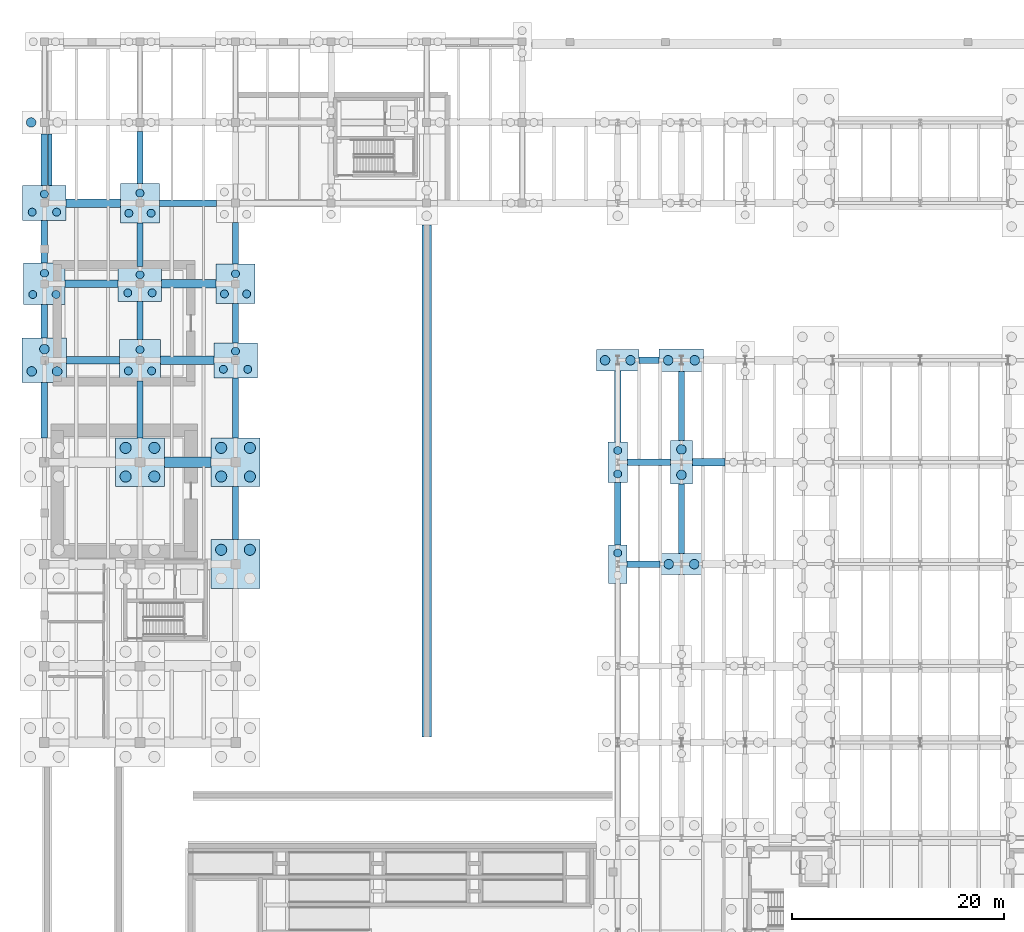
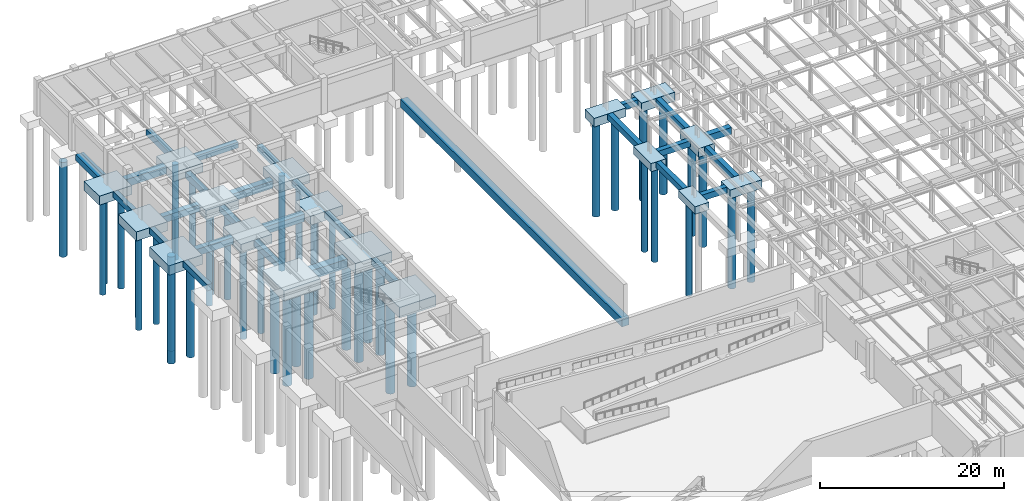
# One storey, part 6 of 59: 46 footings, 46 piles.
"""IFC4 building model written with IfcOpenShell, lengths in metres."""

from ifc_helpers import new_model, si_unit, direction, frame, origin, origin_2d, place, context, subcontext, project, spatial, polyline, rectangle, circle, outline, extrude, material, material_profile, profile_set, type_object, element, save


model = new_model("IFC4")

# Units and contexts
model_context = context("Model", 3, precision=1e-05, world=origin(), true_north=direction((0.0, 1.0)))
body_context = subcontext(model_context, "Body", "Model", "MODEL_VIEW")
ifc_project = project(units=[si_unit("LENGTHUNIT", "METRE"), si_unit("AREAUNIT", "SQUARE_METRE"), si_unit("VOLUMEUNIT", "CUBIC_METRE"), si_unit("PLANEANGLEUNIT", "RADIAN"), si_unit("MASSUNIT", "GRAM", prefix="KILO")], contexts=[model_context])

# Site, building, storey
site_placement = place(None, origin())
site = spatial("IfcSite", under=ifc_project, at=site_placement, CompositionType="ELEMENT")
building_placement = place(site_placement, origin())
building = spatial("IfcBuilding", under=site, at=building_placement, Name="Montealbar Specialist Clinic", CompositionType="ELEMENT")
storey_placement = place(building_placement, frame((0.0, 0.0, -4.800048828125)))
storey = spatial("IfcBuildingStorey", under=building, at=storey_placement, Name="B01", CompositionType="ELEMENT", Elevation=-4.800048828125)

# Footings
ifc_material = material(Name="Concrete C35/45", Category="concrete")
footing_type_1 = type_object("IfcFootingType", Name="FB-BUNKER-1000x1200", PredefinedType="FOOTING_BEAM", material=ifc_material)
footing_1_placement = place(storey_placement, frame((0.0, 0.0, -1.64990234375)))
element("IfcFooting", 1, at=footing_1_placement, inside=storey, type_object=footing_type_1, Name="Foundation Ground Beam FBX-113-157-714", PredefinedType="FOOTING_BEAM", context=body_context, shape_type="SweptSolid", body=[
    extrude(outline(polyline([(11.300048828125, 70.89990234375), (15.699951171875, 70.89990234375), (15.699951171875, 71.89990234375), (11.300048828125, 71.89990234375), (11.300048828125, 70.89990234375)])), origin(), (0.0, 0.0, 1.0), 1.199951171875),
])
footing_type_2 = type_object("IfcFootingType", Name="FB-TIE-600x800", PredefinedType="FOOTING_BEAM", material=ifc_material)
footing_2_placement = place(storey_placement, frame((0.0, 0.0, -0.800048828125)))
element("IfcFooting", 2, at=footing_2_placement, inside=storey, type_object=footing_type_2, Name="Foundation Ground Beam FBX-549-580-618", PredefinedType="FOOTING_BEAM", context=body_context, shape_type="SweptSolid", body=[
    extrude(outline(polyline([(54.875, 61.5), (58.0, 61.5), (58.0, 62.10009765625), (54.875, 62.10009765625), (54.875, 61.5)])), origin(), (0.0, 0.0, 1.0), 0.800048828125),
])
footing_3_placement = place(storey_placement, frame((0.0, 0.0, -0.800048828125)))
element("IfcFooting", 3, at=footing_3_placement, inside=storey, type_object=footing_type_2, Name="Foundation Ground Beam FBX-549-590-714", PredefinedType="FOOTING_BEAM", context=body_context, shape_type="SweptSolid", body=[
    extrude(outline(polyline([(54.925048828125, 71.10009765625), (58.97509765625, 71.10009765625), (58.97509765625, 71.699951171875), (54.925048828125, 71.699951171875), (54.925048828125, 71.10009765625)])), origin(), (0.0, 0.0, 1.0), 0.800048828125),
])
footing_4_placement = place(storey_placement, frame((0.0, 0.0, -0.800048828125)))
element("IfcFooting", 4, at=footing_4_placement, inside=storey, type_object=footing_type_2, Name="Foundation Ground Beam FBX-560-579-810", PredefinedType="FOOTING_BEAM", context=body_context, shape_type="SweptSolid", body=[
    extrude(outline(polyline([(56.0, 80.699951171875), (57.89990234375, 80.699951171875), (57.89990234375, 81.300048828125), (56.0, 81.300048828125), (56.0, 80.699951171875)])), origin(), (0.0, 0.0, 1.0), 0.800048828125),
])
footing_5_placement = place(storey_placement, frame((0.0, 0.0, -0.800048828125)))
element("IfcFooting", 5, at=footing_5_placement, inside=storey, type_object=footing_type_2, Name="Foundation Ground Beam FBX-108-162-958", PredefinedType="FOOTING_BEAM", context=body_context, shape_type="SweptSolid", body=[
    extrude(outline(polyline([(10.85009765625, 95.5), (16.199951171875, 95.5), (16.199951171875, 96.10009765625), (10.85009765625, 96.10009765625), (10.85009765625, 95.5)])), origin(), (0.0, 0.0, 1.0), 0.800048828125),
])
footing_6_placement = place(storey_placement, frame((0.0, 0.0, -0.800048828125)))
element("IfcFooting", 6, at=footing_6_placement, inside=storey, type_object=footing_type_2, Name="Foundation Tie Beam FBY-0-737-789", PredefinedType="FOOTING_BEAM", context=body_context, shape_type="SweptSolid", body=[
    extrude(outline(polyline([(-0.300048828125, 73.699951171875), (0.300048828125, 73.699951171875), (0.300048828125, 78.89990234375), (-0.300048828125, 78.89990234375), (-0.300048828125, 73.699951171875)])), origin(), (0.0, 0.0, 1.0), 0.800048828125),
])
footing_7_placement = place(storey_placement, frame((0.0, 0.0, -0.800048828125)))
element("IfcFooting", 7, at=footing_7_placement, inside=storey, type_object=footing_type_2, Name="Foundation Tie Beam FBY-0-831-862", PredefinedType="FOOTING_BEAM", context=body_context, shape_type="SweptSolid", body=[
    extrude(outline(polyline([(-0.300048828125, 83.10009765625), (0.300048828125, 83.10009765625), (0.300048828125, 86.25), (-0.300048828125, 86.25), (-0.300048828125, 83.10009765625)])), origin(), (0.0, 0.0, 1.0), 0.800048828125),
])
footing_8_placement = place(storey_placement, frame((0.0, 0.0, -0.800048828125)))
element("IfcFooting", 8, at=footing_8_placement, inside=storey, type_object=footing_type_2, Name="Foundation Tie Beam FBY-0-902-942", PredefinedType="FOOTING_BEAM", context=body_context, shape_type="SweptSolid", body=[
    extrude(outline(polyline([(-0.300048828125, 90.14990234375), (0.300048828125, 90.14990234375), (0.300048828125, 94.14990234375), (-0.300048828125, 94.14990234375), (-0.300048828125, 90.14990234375)])), origin(), (0.0, 0.0, 1.0), 0.800048828125),
])
footing_9_placement = place(storey_placement, frame((0.0, 0.0, -0.800048828125)))
element("IfcFooting", 9, at=footing_9_placement, inside=storey, type_object=footing_type_2, Name="Foundation Tie Beam FBY-0-974-1023", PredefinedType="FOOTING_BEAM", context=body_context, shape_type="SweptSolid", body=[
    extrude(outline(polyline([(-0.300048828125, 97.449951171875), (0.300048828125, 97.449951171875), (0.300048828125, 102.324951171875), (-0.300048828125, 102.324951171875), (-0.300048828125, 97.449951171875)])), origin(), (0.0, 0.0, 1.0), 0.800048828125),
])
footing_10_placement = place(storey_placement, frame((0.0, 0.0, -1.25)))
element("IfcFooting", 10, at=footing_10_placement, inside=storey, type_object=footing_type_2, Name="Foundation Tie Beam FBY-90-737-790", PredefinedType="FOOTING_BEAM", context=body_context, shape_type="SweptSolid", body=[
    extrude(outline(polyline([(8.699951171875, 73.699951171875), (9.300048828125, 73.699951171875), (9.300048828125, 79.050048828125), (8.699951171875, 79.050048828125), (8.699951171875, 73.699951171875)])), origin(), (0.0, 0.0, 1.0), 0.800048828125),
])
footing_11_placement = place(storey_placement, frame((0.0, 0.0, -1.25)))
element("IfcFooting", 11, at=footing_11_placement, inside=storey, type_object=footing_type_2, Name="Foundation Tie Beam FBY-90-830-866", PredefinedType="FOOTING_BEAM", context=body_context, shape_type="SweptSolid", body=[
    extrude(outline(polyline([(8.699951171875, 82.949951171875), (9.300048828125, 82.949951171875), (9.300048828125, 86.550048828125), (8.699951171875, 86.550048828125), (8.699951171875, 82.949951171875)])), origin(), (0.0, 0.0, 1.0), 0.800048828125),
])
footing_12_placement = place(storey_placement, frame((0.0, 0.0, -1.25)))
element("IfcFooting", 12, at=footing_12_placement, inside=storey, type_object=footing_type_2, Name="Foundation Tie Beam FBY-90-898-940", PredefinedType="FOOTING_BEAM", context=body_context, shape_type="SweptSolid", body=[
    extrude(outline(polyline([(8.699951171875, 89.85009765625), (9.300048828125, 89.85009765625), (9.300048828125, 93.949951171875), (8.699951171875, 93.949951171875), (8.699951171875, 89.85009765625)])), origin(), (0.0, 0.0, 1.0), 0.800048828125),
])
footing_13_placement = place(storey_placement, frame((0.0, 0.0, -0.800048828125)))
element("IfcFooting", 13, at=footing_13_placement, inside=storey, type_object=footing_type_2, Name="Foundation Tie Beam FBY-90-976-1026", PredefinedType="FOOTING_BEAM", context=body_context, shape_type="SweptSolid", body=[
    extrude(outline(polyline([(8.699951171875, 97.64990234375), (9.300048828125, 97.64990234375), (9.300048828125, 102.550048828125), (8.699951171875, 102.550048828125), (8.699951171875, 97.64990234375)])), origin(), (0.0, 0.0, 1.0), 0.800048828125),
])
footing_14_placement = place(storey_placement, frame((0.0, 0.0, -0.800048828125)))
element("IfcFooting", 14, at=footing_14_placement, inside=storey, type_object=footing_type_2, Name="Foundation Tie Beam FBY-180-641-691", PredefinedType="FOOTING_BEAM", context=body_context, shape_type="SweptSolid", body=[
    extrude(outline(polyline([(17.699951171875, 64.10009765625), (18.300048828125, 64.10009765625), (18.300048828125, 69.10009765625), (17.699951171875, 69.10009765625), (17.699951171875, 64.10009765625)])), origin(), (0.0, 0.0, 1.0), 0.800048828125),
])
footing_15_placement = place(storey_placement, frame((0.0, 0.0, -0.800048828125)))
element("IfcFooting", 15, at=footing_15_placement, inside=storey, type_object=footing_type_2, Name="Foundation Tie Beam FBY-180-737-794", PredefinedType="FOOTING_BEAM", context=body_context, shape_type="SweptSolid", body=[
    extrude(outline(polyline([(17.699951171875, 73.699951171875), (18.300048828125, 73.699951171875), (18.300048828125, 79.35009765625), (17.699951171875, 79.35009765625), (17.699951171875, 73.699951171875)])), origin(), (0.0, 0.0, 1.0), 0.800048828125),
])
footing_16_placement = place(storey_placement, frame((0.0, 0.0, -0.800048828125)))
element("IfcFooting", 16, at=footing_16_placement, inside=storey, type_object=footing_type_2, Name="Foundation Tie Beam FBY-180-826-864", PredefinedType="FOOTING_BEAM", context=body_context, shape_type="SweptSolid", body=[
    extrude(outline(polyline([(17.699951171875, 82.64990234375), (18.300048828125, 82.64990234375), (18.300048828125, 86.35009765625), (17.699951171875, 86.35009765625), (17.699951171875, 82.64990234375)])), origin(), (0.0, 0.0, 1.0), 0.800048828125),
])
footing_17_placement = place(storey_placement, frame((0.0, 0.0, -0.800048828125)))
element("IfcFooting", 17, at=footing_17_placement, inside=storey, type_object=footing_type_2, Name="Foundation Tie Beam FBY-180-900-940", PredefinedType="FOOTING_BEAM", context=body_context, shape_type="SweptSolid", body=[
    extrude(outline(polyline([(17.699951171875, 90.050048828125), (18.300048828125, 90.050048828125), (18.300048828125, 94.0), (17.699951171875, 94.0), (17.699951171875, 90.050048828125)])), origin(), (0.0, 0.0, 1.0), 0.800048828125),
])
footing_18_placement = place(storey_placement, frame((0.0, 0.0, -0.800048828125)))
element("IfcFooting", 18, at=footing_18_placement, inside=storey, type_object=footing_type_2, Name="Foundation Tie Beam FBY-540-636-695", PredefinedType="FOOTING_BEAM", context=body_context, shape_type="SweptSolid", body=[
    extrude(outline(polyline([(53.699951171875, 63.625), (54.300048828125, 63.625), (54.300048828125, 69.47509765625), (53.699951171875, 69.47509765625), (53.699951171875, 63.625)])), origin(), (0.0, 0.0, 1.0), 0.800048828125),
])
footing_19_placement = place(storey_placement, frame((0.0, 0.0, -0.800048828125)))
element("IfcFooting", 19, at=footing_19_placement, inside=storey, type_object=footing_type_2, Name="Foundation Tie Beam FBY-540-733-800", PredefinedType="FOOTING_BEAM", context=body_context, shape_type="SweptSolid", body=[
    extrude(outline(polyline([(53.699951171875, 73.324951171875), (54.300048828125, 73.324951171875), (54.300048828125, 80.0), (53.699951171875, 80.0), (53.699951171875, 73.324951171875)])), origin(), (0.0, 0.0, 1.0), 0.800048828125),
])
footing_20_placement = place(storey_placement, frame((0.0, 0.0, -0.800048828125)))
element("IfcFooting", 20, at=footing_20_placement, inside=storey, type_object=footing_type_2, Name="Foundation Tie Beam FBY-600-628-694", PredefinedType="FOOTING_BEAM", context=body_context, shape_type="SweptSolid", body=[
    extrude(outline(polyline([(59.699951171875, 62.800048828125), (60.300048828125, 62.800048828125), (60.300048828125, 69.35009765625), (59.699951171875, 69.35009765625), (59.699951171875, 62.800048828125)])), origin(), (0.0, 0.0, 1.0), 0.800048828125),
])
footing_21_placement = place(storey_placement, frame((0.0, 0.0, -0.800048828125)))
element("IfcFooting", 21, at=footing_21_placement, inside=storey, type_object=footing_type_2, Name="Foundation Tie Beam FBY-600-734-799", PredefinedType="FOOTING_BEAM", context=body_context, shape_type="SweptSolid", body=[
    extrude(outline(polyline([(59.699951171875, 73.449951171875), (60.300048828125, 73.449951171875), (60.300048828125, 79.925048828125), (59.699951171875, 79.925048828125), (59.699951171875, 73.449951171875)])), origin(), (0.0, 0.0, 1.0), 0.800048828125),
])
footing_type_3 = type_object("IfcFootingType", Name="FB-TIE-700x900", PredefinedType="FOOTING_BEAM", material=ifc_material)
footing_22_placement = place(storey_placement, frame((0.0, 0.0, -0.89990234375)))
element("IfcFooting", 22, at=footing_22_placement, inside=storey, type_object=footing_type_3, Name="Foundation Ground Beam FBX-610-641-714", PredefinedType="FOOTING_BEAM", context=body_context, shape_type="SweptSolid", body=[
    extrude(outline(polyline([(61.02490234375, 71.050048828125), (64.10009765625, 71.050048828125), (64.10009765625, 71.75), (61.02490234375, 71.75), (61.02490234375, 71.050048828125)])), origin(), (0.0, 0.0, 1.0), 0.89990234375),
])
footing_23_placement = place(storey_placement, frame((0.0, 0.0, -1.349853515625)))
element("IfcFooting", 23, at=footing_23_placement, inside=storey, type_object=footing_type_3, Name="Foundation Ground Beam FBX-21-70-810", PredefinedType="FOOTING_BEAM", context=body_context, shape_type="SweptSolid", body=[
    extrude(outline(polyline([(2.10009765625, 80.64990234375), (7.050048828125, 80.64990234375), (7.050048828125, 81.35009765625), (2.10009765625, 81.35009765625), (2.10009765625, 80.64990234375)])), origin(), (0.0, 0.0, 1.0), 0.89990234375),
])
footing_24_placement = place(storey_placement, frame((0.0, 0.0, -1.349853515625)))
element("IfcFooting", 24, at=footing_24_placement, inside=storey, type_object=footing_type_3, Name="Foundation Ground Beam FBX-20-70-882", PredefinedType="FOOTING_BEAM", context=body_context, shape_type="SweptSolid", body=[
    extrude(outline(polyline([(1.949951171875, 87.85009765625), (6.949951171875, 87.85009765625), (6.949951171875, 88.550048828125), (1.949951171875, 88.550048828125), (1.949951171875, 87.85009765625)])), origin(), (0.0, 0.0, 1.0), 0.89990234375),
])
footing_type_4 = type_object("IfcFootingType", Name="FB-TIE-800x1000", PredefinedType="FOOTING_BEAM", material=ifc_material)
footing_25_placement = place(storey_placement, frame((0.0, 0.0, -1.449951171875)))
element("IfcFooting", 25, at=footing_25_placement, inside=storey, type_object=footing_type_4, Name="Foundation Ground Beam FBX-110-160-810", PredefinedType="FOOTING_BEAM", context=body_context, shape_type="SweptSolid", body=[
    extrude(outline(polyline([(10.949951171875, 80.60009765625), (15.949951171875, 80.60009765625), (15.949951171875, 81.39990234375), (10.949951171875, 81.39990234375), (10.949951171875, 80.60009765625)])), origin(), (0.0, 0.0, 1.0), 1.0),
])
footing_26_placement = place(storey_placement, frame((0.0, 0.0, -1.449951171875)))
element("IfcFooting", 26, at=footing_26_placement, inside=storey, type_object=footing_type_4, Name="Foundation Ground Beam FBX-110-162-882", PredefinedType="FOOTING_BEAM", context=body_context, shape_type="SweptSolid", body=[
    extrude(outline(polyline([(11.050048828125, 87.800048828125), (16.14990234375, 87.800048828125), (16.14990234375, 88.60009765625), (11.050048828125, 88.60009765625), (11.050048828125, 87.800048828125)])), origin(), (0.0, 0.0, 1.0), 1.0),
])
footing_27_placement = place(storey_placement, frame((0.0, 0.0, -1.0)))
element("IfcFooting", 27, at=footing_27_placement, inside=storey, type_object=footing_type_4, Name="Foundation Ground Beam FBX-20-72-958", PredefinedType="FOOTING_BEAM", context=body_context, shape_type="SweptSolid", body=[
    extrude(outline(polyline([(2.050048828125, 95.39990234375), (7.14990234375, 95.39990234375), (7.14990234375, 96.199951171875), (2.050048828125, 96.199951171875), (2.050048828125, 95.39990234375)])), origin(), (0.0, 0.0, 1.0), 1.0),
])
footing_type_5 = type_object("IfcFootingType", Name="FT-CORE-STRIP", PredefinedType="STRIP_FOOTING", material=ifc_material)
footing_28_placement = place(storey_placement, frame((0.0, 0.0, -1.050048828125)))
element("IfcFooting", 28, at=footing_28_placement, inside=storey, type_object=footing_type_5, Name="Strip Footing FT-PLINTH-NW-W-2", PredefinedType="STRIP_FOOTING", context=body_context, shape_type="SweptSolid", body=[
    extrude(outline(polyline([(0.699951171875, 102.294921875), (0.699951171875, 97.47998046875), (0.330078125, 97.47998046875), (0.330078125, 102.294921875), (0.699951171875, 102.294921875)])), origin(), (0.0, 0.0, 1.0), 1.050048828125),
])
footing_29_placement = place(storey_placement, frame((0.0, 0.0, -1.050048828125)))
element("IfcFooting", 29, at=footing_29_placement, inside=storey, type_object=footing_type_5, Name="Strip Footing FT-PLINTH-SUP-WC1-1", PredefinedType="STRIP_FOOTING", context=body_context, shape_type="SweptSolid", body=[
    extrude(outline(polyline([(35.550048828125, 45.5), (35.550048828125, 93.719970703125), (36.449951171875, 93.719970703125), (36.449951171875, 45.5), (35.550048828125, 45.5)])), origin(), (0.0, 0.0, 1.0), 1.050048828125),
])
footing_type_6 = type_object("IfcFootingType", Name="PC-2D", PredefinedType="PILE_CAP", material=ifc_material)
footing_30_placement = place(storey_placement, frame((54.0, 61.800048828125, -1.0), z_axis=(0.0, 0.0, 1.0), x_axis=(1.0, 0.0, 0.0)))
element("IfcFooting", 30, at=footing_30_placement, inside=storey, type_object=footing_type_6, Name="Pile Cap 7/H", PredefinedType="PILE_CAP", context=body_context, shape_type="SweptSolid", body=[
    extrude(rectangle(XDim=1.75, YDim=3.64990234375, at=origin_2d()), origin(), (0.0, 0.0, 1.0), 1.0),
])
footing_type_7 = type_object("IfcFootingType", Name="PC-2E", PredefinedType="PILE_CAP", material=ifc_material)
footing_31_placement = place(storey_placement, frame((54.0, 71.39990234375, -1.10009765625), z_axis=(0.0, 0.0, 1.0), x_axis=(1.0, 0.0, 0.0)))
element("IfcFooting", 31, at=footing_31_placement, inside=storey, type_object=footing_type_7, Name="Pile Cap 7/J", PredefinedType="PILE_CAP", context=body_context, shape_type="SweptSolid", body=[
    extrude(rectangle(XDim=1.85009765625, YDim=3.85009765625, at=origin_2d()), origin(), (0.0, 0.0, 1.0), 1.10009765625),
])
footing_type_8 = type_object("IfcFootingType", Name="PC-2F", PredefinedType="PILE_CAP", material=ifc_material)
for number, where, z_axis, x_axis, name in (
    (32, (54.0, 81.0, -1.14990234375), (0.0, 0.0, 1.0), (1.0, 0.0, 0.0), "Pile Cap 7/K"),
    (33, (60.0, 61.800048828125, -1.14990234375), (0.0, 0.0, 1.0), (1.0, 0.0, 0.0), "Pile Cap 8/H"),
):
    element("IfcFooting", number, at=place(storey_placement, frame(where, z_axis=z_axis, x_axis=x_axis)), inside=storey, type_object=footing_type_8, Name=name, PredefinedType="PILE_CAP", context=body_context, shape_type="SweptSolid", body=[
        extrude(rectangle(XDim=4.0, YDim=2.0, at=origin_2d()), origin(), (0.0, 0.0, 1.0), 1.14990234375),
    ])
footing_type_9 = type_object("IfcFootingType", Name="PC-2G", PredefinedType="PILE_CAP", material=ifc_material)
footing_32_placement = place(storey_placement, frame((60.0, 71.39990234375, -1.14990234375), z_axis=(0.0, 0.0, 1.0), x_axis=(1.0, 0.0, 0.0)))
element("IfcFooting", 34, at=footing_32_placement, inside=storey, type_object=footing_type_9, Name="Pile Cap 8/J", PredefinedType="PILE_CAP", context=body_context, shape_type="SweptSolid", body=[
    extrude(rectangle(XDim=2.050048828125, YDim=4.10009765625, at=origin_2d()), origin(), (0.0, 0.0, 1.0), 1.14990234375),
])
footing_type_10 = type_object("IfcFootingType", Name="PC-2H", PredefinedType="PILE_CAP", material=ifc_material)
footing_33_placement = place(storey_placement, frame((60.0, 81.0, -1.19970703125), z_axis=(0.0, 0.0, 1.0), x_axis=(1.0, 0.0, 0.0)))
element("IfcFooting", 35, at=footing_33_placement, inside=storey, type_object=footing_type_10, Name="Pile Cap 8/K", PredefinedType="PILE_CAP", context=body_context, shape_type="SweptSolid", body=[
    extrude(rectangle(XDim=4.199951171875, YDim=2.14990234375, at=origin_2d()), origin(), (0.0, 0.0, 1.0), 1.199951171875),
])
footing_type_11 = type_object("IfcFootingType", Name="PC-3A", PredefinedType="PILE_CAP", material=ifc_material)
for number, where, z_axis, x_axis, name in (
    (36, (9.0, 95.800048828125, -1.14990234375), (0.0, 0.0, 1.0), (1.0, 0.0, 0.0), "Pile Cap 2/M"),
    (37, (18.0, 88.199951171875, -1.14990234375), (0.0, 0.0, 1.0), (1.0, 0.0, 0.0), "Pile Cap 3/L"),
):
    element("IfcFooting", number, at=place(storey_placement, frame(where, z_axis=z_axis, x_axis=x_axis)), inside=storey, type_object=footing_type_11, Name=name, PredefinedType="PILE_CAP", context=body_context, shape_type="SweptSolid", body=[
        extrude(rectangle(XDim=3.699951171875, YDim=3.699951171875, at=origin_2d()), origin(), (0.0, 0.0, 1.0), 1.14990234375),
    ])
footing_type_12 = type_object("IfcFootingType", Name="PC-3B", PredefinedType="PILE_CAP", material=ifc_material)
for number, where, z_axis, x_axis, name in (
    (38, (0.0, 88.199951171875, -1.19970703125), (0.0, 0.0, 1.0), (1.0, 0.0, 0.0), "Pile Cap 1/L"),
    (39, (9.0, 81.0, -1.64990234375), (0.0, 0.0, 1.0), (1.0, 0.0, 0.0), "Pile Cap 2/K"),
):
    element("IfcFooting", number, at=place(storey_placement, frame(where, z_axis=z_axis, x_axis=x_axis)), inside=storey, type_object=footing_type_12, Name=name, PredefinedType="PILE_CAP", context=body_context, shape_type="SweptSolid", body=[
        extrude(rectangle(XDim=3.89990234375, YDim=3.89990234375, at=origin_2d()), origin(), (0.0, 0.0, 1.0), 1.199951171875),
    ])
footing_type_13 = type_object("IfcFootingType", Name="PC-3C", PredefinedType="PILE_CAP", material=ifc_material)
for number, where, z_axis, x_axis, name in (
    (40, (0.0, 95.800048828125, -1.19970703125), (0.0, 0.0, 1.0), (1.0, 0.0, 0.0), "Pile Cap 1/M"),
    (41, (9.0, 88.199951171875, -1.64990234375), (0.0, 0.0, 1.0), (1.0, 0.0, 0.0), "Pile Cap 2/L"),
    (42, (18.0, 81.0, -1.19970703125), (0.0, 0.0, 1.0), (1.0, 0.0, 0.0), "Pile Cap 3/K"),
):
    element("IfcFooting", number, at=place(storey_placement, frame(where, z_axis=z_axis, x_axis=x_axis)), inside=storey, type_object=footing_type_13, Name=name, PredefinedType="PILE_CAP", context=body_context, shape_type="SweptSolid", body=[
        extrude(rectangle(XDim=4.10009765625, YDim=3.300048828125, at=origin_2d()), origin(), (0.0, 0.0, 1.0), 1.199951171875),
    ])
footing_type_14 = type_object("IfcFootingType", Name="PC-3D", PredefinedType="PILE_CAP", material=ifc_material)
footing_34_placement = place(storey_placement, frame((0.0, 81.0, -1.25), z_axis=(0.0, 0.0, 1.0), x_axis=(1.0, 0.0, 0.0)))
element("IfcFooting", 43, at=footing_34_placement, inside=storey, type_object=footing_type_14, Name="Pile Cap 1/K", PredefinedType="PILE_CAP", context=body_context, shape_type="SweptSolid", body=[
    extrude(rectangle(XDim=4.199951171875, YDim=4.199951171875, at=origin_2d()), origin(), (0.0, 0.0, 1.0), 1.25),
])
footing_type_15 = type_object("IfcFootingType", Name="PC-4H", PredefinedType="PILE_CAP", material=ifc_material)
for number, where, z_axis, x_axis, name in (
    (44, (9.0, 71.39990234375, -1.849853515625), (0.0, 0.0, 1.0), (1.0, 0.0, 0.0), "Pile Cap 2/J"),
    (45, (18.0, 61.800048828125, -1.39990234375), (0.0, 0.0, 1.0), (1.0, 0.0, 0.0), "Pile Cap 3/H"),
    (46, (18.0, 71.39990234375, -1.39990234375), (0.0, 0.0, 1.0), (1.0, 0.0, 0.0), "Pile Cap 3/J"),
):
    element("IfcFooting", number, at=place(storey_placement, frame(where, z_axis=z_axis, x_axis=x_axis)), inside=storey, type_object=footing_type_15, Name=name, PredefinedType="PILE_CAP", context=body_context, shape_type="SweptSolid", body=[
        extrude(rectangle(XDim=4.60009765625, YDim=4.60009765625, at=origin_2d()), origin(), (0.0, 0.0, 1.0), 1.39990234375),
    ])

# Piles
ifc_material_profile_1 = material_profile(ifc_material, circle(Radius=0.52490234375, at=origin_2d()), Name="PILE D1050", Category="concrete")
ifc_profile_set_1 = profile_set([ifc_material_profile_1], Name="Concrete C35/45")
pile_type_1 = type_object("IfcPileType", Name="PILE-D1050", PredefinedType="BORED", material=ifc_profile_set_1)
for number, where, z_axis, x_axis, name in (
    (47, (7.64990234375, 70.050048828125, -1.75), (0.0, 0.0, -1.0), (1.0, 0.0, 0.0), "Bored Pile 2/J-P1"),
    (48, (10.35009765625, 70.050048828125, -1.75), (0.0, 0.0, -1.0), (1.0, 0.0, 0.0), "Bored Pile 2/J-P2"),
    (49, (7.64990234375, 72.75, -1.75), (0.0, 0.0, -1.0), (1.0, 0.0, 0.0), "Bored Pile 2/J-P3"),
    (50, (10.35009765625, 72.75, -1.75), (0.0, 0.0, -1.0), (1.0, 0.0, 0.0), "Bored Pile 2/J-P4"),
):
    element("IfcPile", number, at=place(storey_placement, frame(where, z_axis=z_axis, x_axis=x_axis)), inside=storey, type_object=pile_type_1, Name=name, PredefinedType="BORED", context=body_context, shape_type="SweptSolid", body=[
        extrude(circle(Radius=0.52490234375, at=origin_2d()), origin(), (0.0, 0.0, 1.0), 11.949951171875),
    ])
for number, where, z_axis, x_axis, name in (
    (51, (16.64990234375, 63.14990234375, -1.300048828125), (0.0, 0.0, -1.0), (1.0, 0.0, 0.0), "Bored Pile 3/H-P3"),
    (52, (19.35009765625, 63.14990234375, -1.300048828125), (0.0, 0.0, -1.0), (1.0, 0.0, 0.0), "Bored Pile 3/H-P4"),
    (53, (16.64990234375, 70.050048828125, -1.300048828125), (0.0, 0.0, -1.0), (1.0, 0.0, 0.0), "Bored Pile 3/J-P1"),
    (54, (19.35009765625, 70.050048828125, -1.300048828125), (0.0, 0.0, -1.0), (1.0, 0.0, 0.0), "Bored Pile 3/J-P2"),
    (55, (16.64990234375, 72.75, -1.300048828125), (0.0, 0.0, -1.0), (1.0, 0.0, 0.0), "Bored Pile 3/J-P3"),
    (56, (19.35009765625, 72.75, -1.300048828125), (0.0, 0.0, -1.0), (1.0, 0.0, 0.0), "Bored Pile 3/J-P4"),
):
    element("IfcPile", number, at=place(storey_placement, frame(where, z_axis=z_axis, x_axis=x_axis)), inside=storey, type_object=pile_type_1, Name=name, PredefinedType="BORED", context=body_context, shape_type="SweptSolid", body=[
        extrude(circle(Radius=0.52490234375, at=origin_2d()), origin(), (0.0, 0.0, 1.0), 12.39990234375),
    ])
ifc_material_profile_2 = material_profile(ifc_material, circle(Radius=0.375, at=origin_2d()), Name="PILE D750", Category="concrete")
ifc_profile_set_2 = profile_set([ifc_material_profile_2], Name="Concrete C35/45")
pile_type_2 = type_object("IfcPileType", Name="PILE-D750", PredefinedType="BORED", material=ifc_profile_set_2)
for number, where, z_axis, x_axis, name in (
    (57, (-1.10009765625, 87.199951171875, -1.099853515625), (0.0, 0.0, -1.0), (1.0, 0.0, 0.0), "Bored Pile 1/L-P1"),
    (58, (1.10009765625, 87.199951171875, -1.099853515625), (0.0, 0.0, -1.0), (1.0, 0.0, 0.0), "Bored Pile 1/L-P2"),
    (59, (0.0, 89.199951171875, -1.099853515625), (0.0, 0.0, -1.0), (1.0, 0.0, 0.0), "Bored Pile 1/L-P3"),
    (60, (-1.14990234375, 94.949951171875, -1.099853515625), (0.0, 0.0, -1.0), (1.0, 0.0, 0.0), "Bored Pile 1/M-P1"),
    (61, (1.14990234375, 94.949951171875, -1.099853515625), (0.0, 0.0, -1.0), (1.0, 0.0, 0.0), "Bored Pile 1/M-P2"),
    (62, (0.0, 96.64990234375, -1.099853515625), (0.0, 0.0, -1.0), (1.0, 0.0, 0.0), "Bored Pile 1/M-P3"),
):
    element("IfcPile", number, at=place(storey_placement, frame(where, z_axis=z_axis, x_axis=x_axis)), inside=storey, type_object=pile_type_2, Name=name, PredefinedType="BORED", context=body_context, shape_type="SweptSolid", body=[
        extrude(circle(Radius=0.375, at=origin_2d()), origin(), (0.0, 0.0, 1.0), 12.60009765625),
    ])
for number, where, z_axis, x_axis, name in (
    (63, (7.89990234375, 80.0, -1.550048828125), (0.0, 0.0, -1.0), (1.0, 0.0, 0.0), "Bored Pile 2/K-P1"),
    (64, (10.10009765625, 80.0, -1.550048828125), (0.0, 0.0, -1.0), (1.0, 0.0, 0.0), "Bored Pile 2/K-P2"),
    (65, (9.0, 82.0, -1.550048828125), (0.0, 0.0, -1.0), (1.0, 0.0, 0.0), "Bored Pile 2/K-P3"),
    (66, (7.85009765625, 87.35009765625, -1.550048828125), (0.0, 0.0, -1.0), (1.0, 0.0, 0.0), "Bored Pile 2/L-P1"),
    (67, (10.14990234375, 87.35009765625, -1.550048828125), (0.0, 0.0, -1.0), (1.0, 0.0, 0.0), "Bored Pile 2/L-P2"),
    (68, (9.0, 89.050048828125, -1.550048828125), (0.0, 0.0, -1.0), (1.0, 0.0, 0.0), "Bored Pile 2/L-P3"),
):
    element("IfcPile", number, at=place(storey_placement, frame(where, z_axis=z_axis, x_axis=x_axis)), inside=storey, type_object=pile_type_2, Name=name, PredefinedType="BORED", context=body_context, shape_type="SweptSolid", body=[
        extrude(circle(Radius=0.375, at=origin_2d()), origin(), (0.0, 0.0, 1.0), 12.14990234375),
    ])
for number, where, z_axis, x_axis, name in (
    (69, (7.949951171875, 94.85009765625, -1.050048828125), (0.0, 0.0, -1.0), (1.0, 0.0, 0.0), "Bored Pile 2/M-P1"),
    (70, (10.050048828125, 94.85009765625, -1.050048828125), (0.0, 0.0, -1.0), (1.0, 0.0, 0.0), "Bored Pile 2/M-P2"),
    (71, (9.0, 96.75, -1.050048828125), (0.0, 0.0, -1.0), (1.0, 0.0, 0.0), "Bored Pile 2/M-P3"),
):
    element("IfcPile", number, at=place(storey_placement, frame(where, z_axis=z_axis, x_axis=x_axis)), inside=storey, type_object=pile_type_2, Name=name, PredefinedType="BORED", context=body_context, shape_type="SweptSolid", body=[
        extrude(circle(Radius=0.375, at=origin_2d()), origin(), (0.0, 0.0, 1.0), 12.64990234375),
    ])
for number, where, z_axis, x_axis, name in (
    (72, (16.85009765625, 80.14990234375, -1.099853515625), (0.0, 0.0, -1.0), (1.0, 0.0, 0.0), "Bored Pile 3/K-P1"),
    (73, (19.14990234375, 80.14990234375, -1.099853515625), (0.0, 0.0, -1.0), (1.0, 0.0, 0.0), "Bored Pile 3/K-P2"),
    (74, (18.0, 81.85009765625, -1.099853515625), (0.0, 0.0, -1.0), (1.0, 0.0, 0.0), "Bored Pile 3/K-P3"),
):
    element("IfcPile", number, at=place(storey_placement, frame(where, z_axis=z_axis, x_axis=x_axis)), inside=storey, type_object=pile_type_2, Name=name, PredefinedType="BORED", context=body_context, shape_type="SweptSolid", body=[
        extrude(circle(Radius=0.375, at=origin_2d()), origin(), (0.0, 0.0, 1.0), 12.60009765625),
    ])
for number, where, z_axis, x_axis, name in (
    (75, (16.949951171875, 87.25, -1.050048828125), (0.0, 0.0, -1.0), (1.0, 0.0, 0.0), "Bored Pile 3/L-P1"),
    (76, (19.050048828125, 87.25, -1.050048828125), (0.0, 0.0, -1.0), (1.0, 0.0, 0.0), "Bored Pile 3/L-P2"),
    (77, (18.0, 89.14990234375, -1.050048828125), (0.0, 0.0, -1.0), (1.0, 0.0, 0.0), "Bored Pile 3/L-P3"),
):
    element("IfcPile", number, at=place(storey_placement, frame(where, z_axis=z_axis, x_axis=x_axis)), inside=storey, type_object=pile_type_2, Name=name, PredefinedType="BORED", context=body_context, shape_type="SweptSolid", body=[
        extrude(circle(Radius=0.375, at=origin_2d()), origin(), (0.0, 0.0, 1.0), 12.64990234375),
    ])
pile_1_placement = place(storey_placement, frame((54.0, 62.85009765625, -0.89990234375), z_axis=(0.0, 0.0, -1.0), x_axis=(1.0, 0.0, 0.0)))
element("IfcPile", 78, at=pile_1_placement, inside=storey, type_object=pile_type_2, Name="Bored Pile 7/H-P2", PredefinedType="BORED", context=body_context, shape_type="SweptSolid", body=[
    extrude(circle(Radius=0.375, at=origin_2d()), origin(), (0.0, 0.0, 1.0), 12.800048828125),
])
for number, where, z_axis, x_axis, name in (
    (79, (54.0, 70.300048828125, -1.0), (0.0, 0.0, -1.0), (1.0, 0.0, 0.0), "Bored Pile 7/J-P1"),
    (80, (54.0, 72.5, -1.0), (0.0, 0.0, -1.0), (1.0, 0.0, 0.0), "Bored Pile 7/J-P2"),
):
    element("IfcPile", number, at=place(storey_placement, frame(where, z_axis=z_axis, x_axis=x_axis)), inside=storey, type_object=pile_type_2, Name=name, PredefinedType="BORED", context=body_context, shape_type="SweptSolid", body=[
        extrude(circle(Radius=0.375, at=origin_2d()), origin(), (0.0, 0.0, 1.0), 12.699951171875),
    ])
ifc_material_profile_3 = material_profile(ifc_material, circle(Radius=0.449951171875, at=origin_2d()), Name="PILE D900", Category="concrete")
ifc_profile_set_3 = profile_set([ifc_material_profile_3], Name="Concrete C35/45")
pile_type_3 = type_object("IfcPileType", Name="PILE-D900", PredefinedType="BORED", material=ifc_profile_set_3)
for number, where, z_axis, x_axis, name in (
    (81, (-1.199951171875, 79.949951171875, -1.14990234375), (0.0, 0.0, -1.0), (1.0, 0.0, 0.0), "Bored Pile 1/K-P1"),
    (82, (1.199951171875, 79.949951171875, -1.14990234375), (0.0, 0.0, -1.0), (1.0, 0.0, 0.0), "Bored Pile 1/K-P2"),
    (83, (0.0, 82.050048828125, -1.14990234375), (0.0, 0.0, -1.0), (1.0, 0.0, 0.0), "Bored Pile 1/K-P3"),
):
    element("IfcPile", number, at=place(storey_placement, frame(where, z_axis=z_axis, x_axis=x_axis)), inside=storey, type_object=pile_type_3, Name=name, PredefinedType="BORED", context=body_context, shape_type="SweptSolid", body=[
        extrude(circle(Radius=0.449951171875, at=origin_2d()), origin(), (0.0, 0.0, 1.0), 12.550048828125),
    ])
pile_2_placement = place(storey_placement, frame((-1.25, 103.39990234375, -1.099853515625), z_axis=(0.0, 0.0, -1.0), x_axis=(1.0, 0.0, 0.0)))
element("IfcPile", 84, at=pile_2_placement, inside=storey, type_object=pile_type_3, Name="Bored Pile 1/N-P1", PredefinedType="BORED", context=body_context, shape_type="SweptSolid", body=[
    extrude(circle(Radius=0.449951171875, at=origin_2d()), origin(), (0.0, 0.0, 1.0), 12.60009765625),
])
for number, where, z_axis, x_axis, name in (
    (85, (52.800048828125, 81.0, -1.050048828125), (0.0, 0.0, -1.0), (1.0, 0.0, 0.0), "Bored Pile 7/K-P1"),
    (86, (55.199951171875, 81.0, -1.050048828125), (0.0, 0.0, -1.0), (1.0, 0.0, 0.0), "Bored Pile 7/K-P2"),
    (87, (58.800048828125, 61.800048828125, -1.050048828125), (0.0, 0.0, -1.0), (1.0, 0.0, 0.0), "Bored Pile 8/H-P1"),
    (88, (61.199951171875, 61.800048828125, -1.050048828125), (0.0, 0.0, -1.0), (1.0, 0.0, 0.0), "Bored Pile 8/H-P2"),
    (89, (60.0, 70.199951171875, -1.050048828125), (0.0, 0.0, -1.0), (1.0, 0.0, 0.0), "Bored Pile 8/J-P1"),
    (90, (60.0, 72.60009765625, -1.050048828125), (0.0, 0.0, -1.0), (1.0, 0.0, 0.0), "Bored Pile 8/J-P2"),
):
    element("IfcPile", number, at=place(storey_placement, frame(where, z_axis=z_axis, x_axis=x_axis)), inside=storey, type_object=pile_type_3, Name=name, PredefinedType="BORED", context=body_context, shape_type="SweptSolid", body=[
        extrude(circle(Radius=0.449951171875, at=origin_2d()), origin(), (0.0, 0.0, 1.0), 12.64990234375),
    ])
for number, where, z_axis, x_axis, name in (
    (91, (58.75, 81.0, -1.099853515625), (0.0, 0.0, -1.0), (1.0, 0.0, 0.0), "Bored Pile 8/K-P1"),
    (92, (61.25, 81.0, -1.099853515625), (0.0, 0.0, -1.0), (1.0, 0.0, 0.0), "Bored Pile 8/K-P2"),
):
    element("IfcPile", number, at=place(storey_placement, frame(where, z_axis=z_axis, x_axis=x_axis)), inside=storey, type_object=pile_type_3, Name=name, PredefinedType="BORED", context=body_context, shape_type="SweptSolid", body=[
        extrude(circle(Radius=0.449951171875, at=origin_2d()), origin(), (0.0, 0.0, 1.0), 12.60009765625),
    ])

save(model, "model.ifc")
